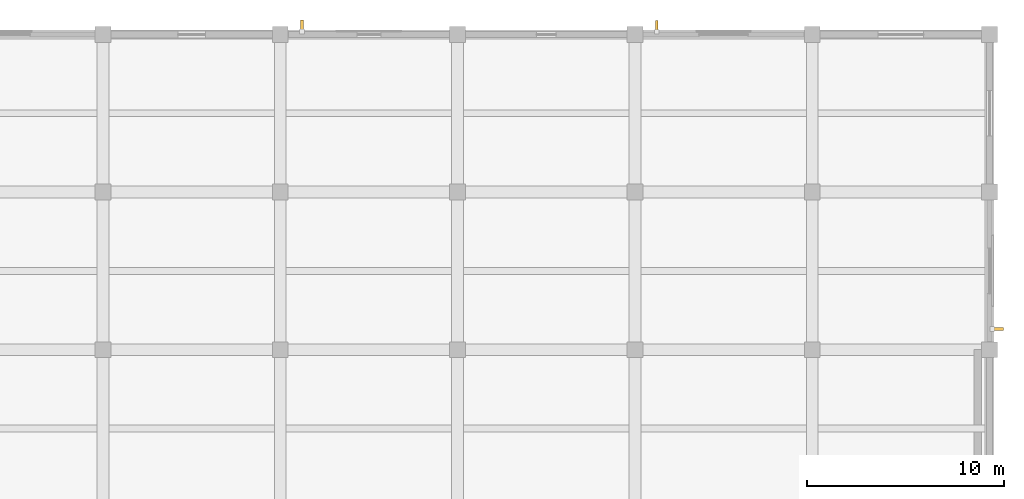
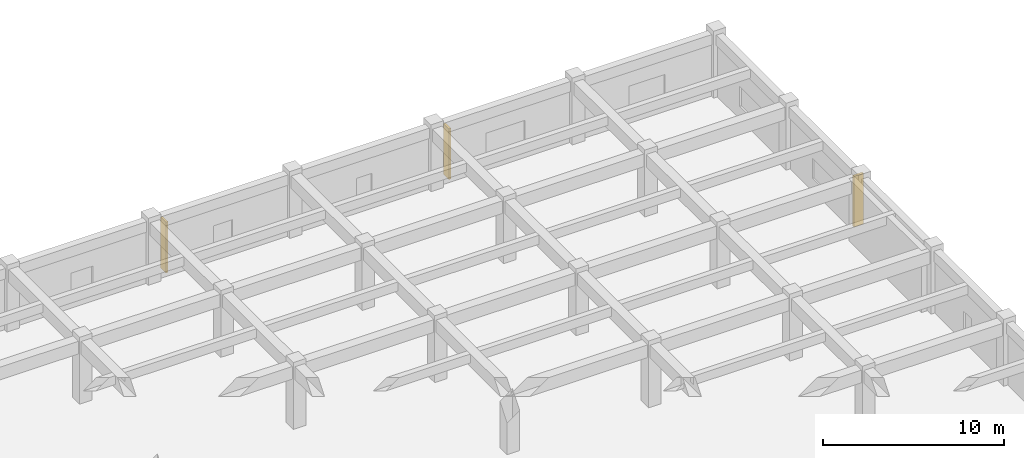
# One storey, part 50 of 50: 3 shading devices.
"""IFC4 building model written with IfcOpenShell, lengths in metres."""

from ifc_helpers import new_model, si_unit, direction, frame, frame_2d, origin, place, context, subcontext, project, spatial, rectangle, extrude, material, layer, layer_set, type_object, element, save


model = new_model("IFC4")

# Units and contexts
model_context = context("Model", 3, precision=1e-05, world=origin(), true_north=direction((0.0, 1.0)))
body_context = subcontext(model_context, "Body", "Model", "MODEL_VIEW")
ifc_project = project(units=[si_unit("LENGTHUNIT", "METRE"), si_unit("AREAUNIT", "SQUARE_METRE"), si_unit("VOLUMEUNIT", "CUBIC_METRE"), si_unit("PLANEANGLEUNIT", "RADIAN"), si_unit("MASSUNIT", "GRAM", prefix="KILO")], contexts=[model_context])

# Site, building, storey
site_placement = place(None, origin())
site = spatial("IfcSite", under=ifc_project, at=site_placement, CompositionType="ELEMENT")
building_placement = place(site_placement, origin())
building = spatial("IfcBuilding", under=site, at=building_placement, Name="Zaverband Oceanarium and Marine Research Institute", CompositionType="ELEMENT")
storey_placement = place(building_placement, frame((0.0, 0.0, 4.5)))
storey = spatial("IfcBuildingStorey", under=building, at=storey_placement, Name="L01", CompositionType="ELEMENT", Elevation=4.5)

# Shading devices
ifc_material = material(Name="Concrete C40/50 precast brise-soleil", Category="concrete")
ifc_layer = layer(ifc_material, 0.139892578125, Name="Concrete C40/50 precast brise-soleil")
ifc_layer_set = layer_set([ifc_layer], Name="Concrete C40/50 precast brise-soleil")
shading_device_type = type_object("IfcShadingDeviceType", Name="SHD-FIN-600", PredefinedType="JALOUSIE", material=ifc_layer_set)
shading_device_placement = place(storey_placement, frame((145.10498046875, 120.135009765625, 0.0), z_axis=(0.0, 0.0, 1.0), x_axis=(0.0, 1.0, 0.0)))
element("IfcShadingDevice", 1, at=shading_device_placement, inside=storey, type_object=shading_device_type, Name="600 mm vertical precast brise-soleil fin SHD-FIN-600", PredefinedType="JALOUSIE", context=body_context, shape_type="SweptSolid", body=[
    extrude(rectangle(XDim=0.60009765625, YDim=0.139892578125, at=frame_2d((0.300048828125, 0.0))), origin(), (0.0, 0.0, 1.0), 3.409912109375),
])
for number, where, z_axis, x_axis, name in (
    (2, (163.10498046875, 120.112548828125, 0.0), (0.0, 0.0, 1.0), (0.0, 1.0, 0.0), "600 mm vertical precast brise-soleil fin SHD-FIN-600"),
    (3, (180.112548828125, 105.054931640625, 0.0), (0.0, 0.0, 1.0), (1.0, 0.0, 0.0), "600 mm vertical precast brise-soleil fin SHD-FIN-600"),
):
    element("IfcShadingDevice", number, at=place(storey_placement, frame(where, z_axis=z_axis, x_axis=x_axis)), inside=storey, type_object=shading_device_type, Name=name, PredefinedType="JALOUSIE", context=body_context, shape_type="SweptSolid", body=[
        extrude(rectangle(XDim=0.599853515625, YDim=0.139892578125, at=frame_2d((0.2998046875, 0.0))), origin(), (0.0, 0.0, 1.0), 3.409912109375),
    ])

save(model, "model.ifc")
